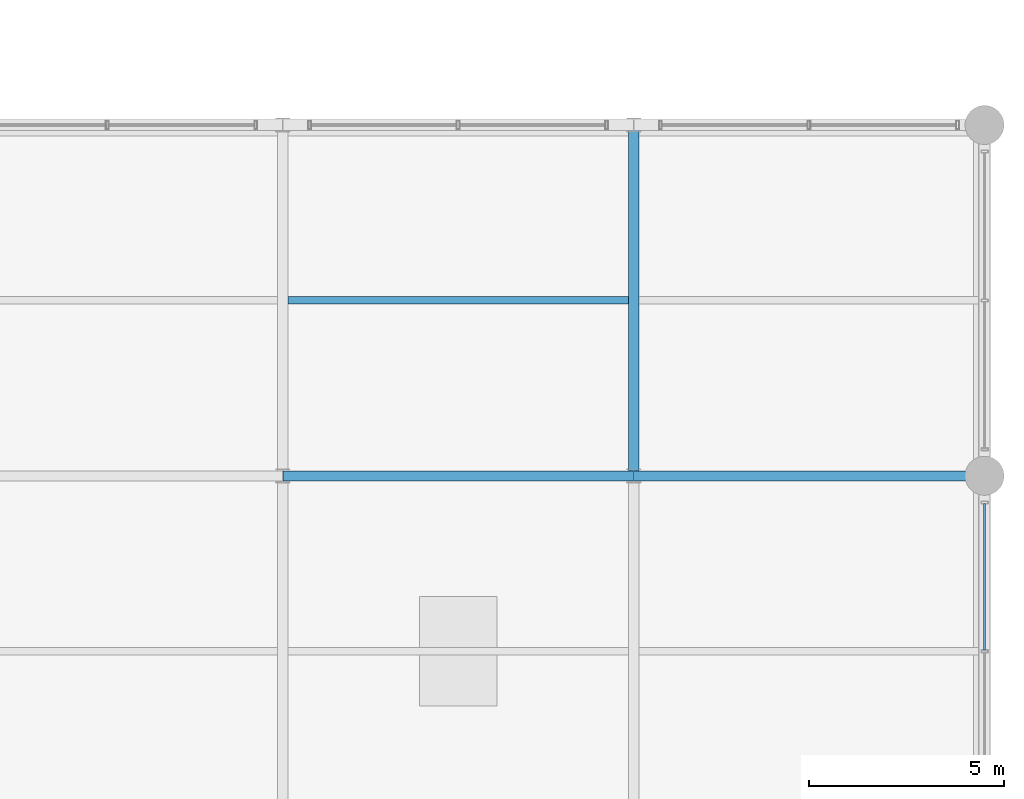
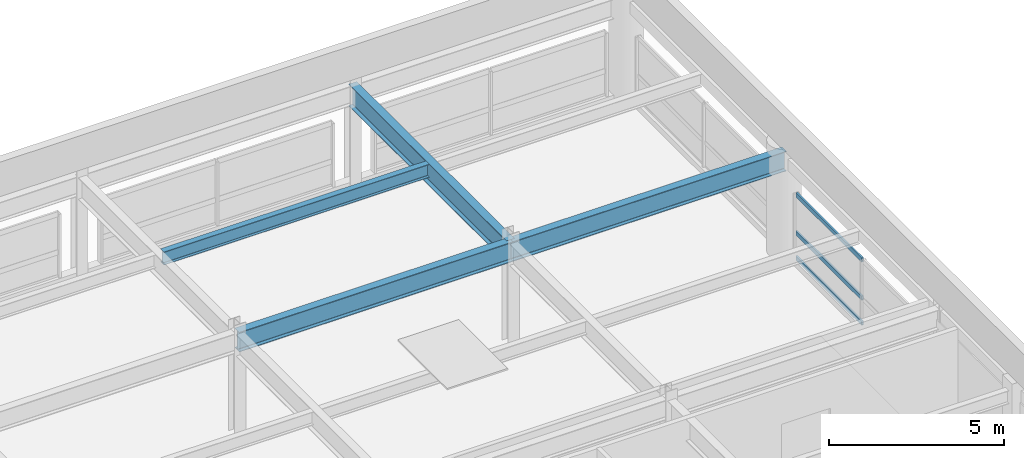
# One storey, part 57 of 108: 4 beams, 3 members, 1 element without a shape of its own.
"""IFC4 building model written with IfcOpenShell, lengths in metres."""

import ifcopenshell
import ifcopenshell.guid

model = None  # the IFC model being written
_history = None  # IfcOwnerHistory: only IFC2X3 demands one
_inside = {}  # id of a spatial element -> (the spatial element, [elements in it])
_under = {}  # id of a project, library or spatial element -> (it, [spatial elements below it])
_declared = {}  # id of a project -> (the project, [libraries it declares])
_typed = {}  # id of a type object -> (the type object, [elements of that type])
_made_of = {}  # id of a material, layer set ... -> (it, [elements and type objects made of it])


def new_model(schema):
    """Start an empty IFC model of exactly this schema.

    Asked for "IFC4X3", IfcOpenShell would pick the latest addendum, in which some entities
    have other attributes; the version numbers below select the first issue.
    IFC2X3 requires an IfcOwnerHistory on every rooted entity: one is made here for all.
    """
    global model, _history
    if schema == "IFC4X3":
        model = ifcopenshell.file(schema_version=(4, 3, 0, 0))
    else:
        model = ifcopenshell.file(schema=schema)
    _inside.clear()
    _under.clear()
    _declared.clear()
    _typed.clear()
    _made_of.clear()
    _history = None
    if model.schema == "IFC2X3":
        org = make("IfcOrganization", Name="unknown")
        user = make(
            "IfcPersonAndOrganization",
            ThePerson=make("IfcPerson", FamilyName="unknown"),
            TheOrganization=org,
        )
        app = make(
            "IfcApplication",
            ApplicationDeveloper=org,
            Version="unknown",
            ApplicationFullName="unknown",
            ApplicationIdentifier="unknown",
        )
        _history = make(
            "IfcOwnerHistory",
            OwningUser=user,
            OwningApplication=app,
            ChangeAction="ADDED",
            CreationDate=0,
        )
    return model


def make(cls, **values):
    """One entity of the class cls with the attributes given. An attribute that is None is left unset."""
    return model.create_entity(
        cls, **{name: value for name, value in values.items() if value is not None}
    )


def rooted(cls, **values):
    """An entity with a GlobalId (a new one), such as an element, a storey or a relation."""
    return make(cls, GlobalId=ifcopenshell.guid.new(), OwnerHistory=_history, **values)


def si_unit(unit_type, name, prefix=None):
    """IfcSIUnit, for example si_unit("LENGTHUNIT", "METRE", prefix="MILLI")."""
    return make("IfcSIUnit", UnitType=unit_type, Prefix=prefix, Name=name)


def assignment(units):
    """IfcUnitAssignment: the units of a project."""
    return None if units is None else make("IfcUnitAssignment", Units=units)


def point(xyz):
    """IfcCartesianPoint."""
    return None if xyz is None else make("IfcCartesianPoint", Coordinates=xyz)


def direction(xyz):
    """IfcDirection."""
    return None if xyz is None else make("IfcDirection", DirectionRatios=xyz)


def frame(location, z_axis=None, x_axis=None):
    """IfcAxis2Placement3D, a coordinate frame: its origin and axes. An axis left out is left unset."""
    return make(
        "IfcAxis2Placement3D",
        Location=point(location),
        Axis=direction(z_axis),
        RefDirection=direction(x_axis),
    )


def frame_2d(location, x_axis=None):
    """IfcAxis2Placement2D, a coordinate frame in the plane: its origin and x axis."""
    return make(
        "IfcAxis2Placement2D", Location=point(location), RefDirection=direction(x_axis)
    )


def origin():
    """The frame at (0, 0, 0) with its axes left unset."""
    return frame((0.0, 0.0, 0.0))


def origin_2d():
    """The frame at (0, 0) in the plane with its x axis left unset."""
    return frame_2d((0.0, 0.0))


def place(relative_to, where):
    """IfcLocalPlacement: puts the frame where relative to a parent placement (None: the world)."""
    return make(
        "IfcLocalPlacement", PlacementRelTo=relative_to, RelativePlacement=where
    )


def context(
    kind, dimensions, precision=None, world=None, true_north=None, identifier=None
):
    """IfcGeometricRepresentationContext, for example the 3D "Model" context."""
    return make(
        "IfcGeometricRepresentationContext",
        ContextIdentifier=identifier,
        ContextType=kind,
        CoordinateSpaceDimension=dimensions,
        Precision=precision,
        WorldCoordinateSystem=world,
        TrueNorth=true_north,
    )


def subcontext(parent, identifier, kind, view, scale=None):
    """IfcGeometricRepresentationSubContext, for example "Body" below "Model"."""
    return make(
        "IfcGeometricRepresentationSubContext",
        ContextIdentifier=identifier,
        ContextType=kind,
        ParentContext=parent,
        TargetScale=scale,
        TargetView=view,
    )


def project(units=None, contexts=None):
    """IfcProject with its units and contexts."""
    return rooted(
        "IfcProject",
        Name="project",
        RepresentationContexts=contexts,
        UnitsInContext=assignment(units),
    )


def spatial(cls, under=None, at=None, **own):
    """A site, building, storey or space (cls), placed at a placement, below another one or the project."""
    s = rooted(cls, ObjectPlacement=at, **own)
    if under is not None:
        _under.setdefault(under.id(), (under, []))[1].append(s)
    return s


def profile(cls, at=None, kind="AREA", **sizes):
    """A parametric profile (cls). Its sizes go by their IFC names, for example OverallWidth=200.0."""
    return make(cls, ProfileType=kind, Position=at, **sizes)


def hollow_rectangle(**sizes):
    """IfcRectangleHollowProfileDef."""
    return profile("IfcRectangleHollowProfileDef", **sizes)


def i_section(**sizes):
    """IfcIShapeProfileDef."""
    return profile("IfcIShapeProfileDef", **sizes)


def extrude(swept, where, along, depth):
    """IfcExtrudedAreaSolid: the profile swept, set in the frame where, extruded along a direction by depth."""
    return make(
        "IfcExtrudedAreaSolid",
        SweptArea=swept,
        Position=where,
        ExtrudedDirection=direction(along),
        Depth=depth,
    )


def shape(context_of_items, identifier, shape_type, items):
    """IfcShapeRepresentation: the items that make up one representation, for example the "Body"."""
    return make(
        "IfcShapeRepresentation",
        ContextOfItems=context_of_items,
        RepresentationIdentifier=identifier,
        RepresentationType=shape_type,
        Items=items,
    )


def material(Name=None, Category=None):
    """IfcMaterial."""
    return make("IfcMaterial", Name=Name, Category=Category)


def material_profile(
    of_material, cross_section, Name=None, Category=None, Priority=None
):
    """IfcMaterialProfile: a cross section and its material."""
    return make(
        "IfcMaterialProfile",
        Name=Name,
        Material=of_material,
        Profile=cross_section,
        Priority=Priority,
        Category=Category,
    )


def profile_set(profiles, Name=None, composite=None):
    """IfcMaterialProfileSet."""
    return make(
        "IfcMaterialProfileSet",
        Name=Name,
        MaterialProfiles=profiles,
        CompositeProfile=composite,
    )


def made_of(thing, what):
    """Note that an element or type object is made of a material, layer set ...; save() writes the relation."""
    if what is not None:
        _made_of.setdefault(what.id(), (what, []))[1].append(thing)
    return thing


def type_object(cls, material=None, **own):
    """A type object (cls), such as IfcWallType, which elements share."""
    return made_of(rooted(cls, **own), material)


def element(
    cls,
    number,
    at=None,
    inside=None,
    cuts=None,
    type_object=None,
    material=None,
    context=None,
    identifier="Body",
    shape_type=None,
    held_by="IfcProductDefinitionShape",
    body=None,
    shapes=None,
    **own,
):
    """One element of the class cls, such as IfcWall. Its Tag is "e" and its number.

    at: its placement. inside: the storey or other place that contains it. cuts: it is an
    opening in that element (IfcRelVoidsElement). A single representation is given by context,
    identifier, shape_type and body (its items); several are given by shapes. held_by: the class
    of the entity that holds the representations. save() writes the other relations.
    """
    e = rooted(cls, Tag="e%d" % number, ObjectPlacement=at, **own)
    if body is not None:
        shapes = [shape(context, identifier, shape_type, body)]
    if shapes is not None:
        e.Representation = make(held_by, Representations=shapes)
    if inside is not None:
        _inside.setdefault(inside.id(), (inside, []))[1].append(e)
    if cuts is not None:
        rooted(
            "IfcRelVoidsElement", RelatingBuildingElement=cuts, RelatedOpeningElement=e
        )
    if type_object is not None:
        _typed.setdefault(type_object.id(), (type_object, []))[1].append(e)
    return made_of(e, material)


def aggregate(whole, parts):
    """IfcRelAggregates: a whole, such as a stair, and the parts it consists of."""
    return rooted("IfcRelAggregates", RelatingObject=whole, RelatedObjects=parts)


def save(model, path):
    """Write the relations noted so far, then the file.

    IfcRelAggregates (storeys below a building ...), IfcRelContainedInSpatialStructure (elements
    in a storey), IfcRelDefinesByType, IfcRelAssociatesMaterial and IfcRelDeclares: one each for
    every whole, place, type object, material and project.
    """
    for whole, parts in _under.values():
        aggregate(whole, parts)
    for where, things in _inside.values():
        rooted(
            "IfcRelContainedInSpatialStructure",
            RelatedElements=things,
            RelatingStructure=where,
        )
    for kind, things in _typed.values():
        rooted("IfcRelDefinesByType", RelatedObjects=things, RelatingType=kind)
    for what, things in _made_of.values():
        rooted("IfcRelAssociatesMaterial", RelatedObjects=things, RelatingMaterial=what)
    for by, libraries in _declared.values():
        rooted("IfcRelDeclares", RelatingContext=by, RelatedDefinitions=libraries)
    model.write(path)


model = new_model("IFC4")

# Units and contexts
model_context = context("Model", 3, precision=1e-05, world=origin(), true_north=direction((0.0, 1.0)))
body_context = subcontext(model_context, "Body", "Model", "MODEL_VIEW")
ifc_project = project(units=[si_unit("LENGTHUNIT", "METRE"), si_unit("AREAUNIT", "SQUARE_METRE"), si_unit("VOLUMEUNIT", "CUBIC_METRE"), si_unit("PLANEANGLEUNIT", "RADIAN"), si_unit("MASSUNIT", "GRAM", prefix="KILO")], contexts=[model_context])

# Site, building, storey
site_placement = place(None, origin())
site = spatial("IfcSite", under=ifc_project, at=site_placement, CompositionType="ELEMENT")
building_placement = place(site_placement, origin())
building = spatial("IfcBuilding", under=site, at=building_placement, Name="Kaldorvane Square Convention Centre", CompositionType="ELEMENT")
storey_placement = place(building_placement, frame((0.0, 0.0, 23.399993896484375)))
storey = spatial("IfcBuildingStorey", under=building, at=storey_placement, Name="L04", CompositionType="ELEMENT", Elevation=23.399993896484375)

# Beams
ifc_material_1 = material(Name="Steel ASTM A992 Gr. 50", Category="steel")
ifc_material_profile_1 = material_profile(ifc_material_1, i_section(OverallWidth=0.25439453125, OverallDepth=0.6880950927734375, WebThickness=0.0131072998046875, FlangeThickness=0.0211029052734375, FilletRadius=0.01519775390625, at=origin_2d()), Name="W27X102")
ifc_profile_set_1 = profile_set([ifc_material_profile_1], Name="Steel ASTM A992 Gr. 50")
beam_type_1 = type_object("IfcBeamType", Name="BM-GR-W27X102", PredefinedType="BEAM", material=ifc_profile_set_1)
for number, where, z_axis, x_axis, name in (
    (1, (156.0, 27.0, 3.1819000244140625), (1.0, 0.0, 0.0), (0.0, 1.0, 0.0), "Primary Girder (L04)"),
    (2, (165.0, 27.0, 3.1819000244140625), (1.0, 0.0, 0.0), (0.0, 1.0, 0.0), "Primary Girder (L04)"),
):
    element("IfcBeam", number, at=place(storey_placement, frame(where, z_axis=z_axis, x_axis=x_axis)), inside=storey, type_object=beam_type_1, Name=name, PredefinedType="BEAM", context=body_context, shape_type="SweptSolid", body=[
        extrude(i_section(OverallWidth=0.25439453125, OverallDepth=0.6880950927734375, WebThickness=0.0131072998046875, FlangeThickness=0.0211029052734375, FilletRadius=0.01519775390625, at=origin_2d()), origin(), (0.0, 0.0, 1.0), 9.0),
    ])
ifc_material_profile_2 = material_profile(ifc_material_1, i_section(OverallWidth=0.2666015625, OverallDepth=0.762298583984375, WebThickness=0.014404296875, FlangeThickness=0.0216064453125, FilletRadius=0.0164947509765625, at=origin_2d()), Name="W30X116")
ifc_profile_set_2 = profile_set([ifc_material_profile_2], Name="Steel ASTM A992 Gr. 50")
beam_type_2 = type_object("IfcBeamType", Name="BM-GR-W30X116", PredefinedType="BEAM", material=ifc_profile_set_2)
beam_1_placement = place(storey_placement, frame((165.0, 27.0, 3.144805908203125), z_axis=(0.0, 1.0, 0.0), x_axis=(-1.0, 0.0, 0.0)))
element("IfcBeam", 3, at=beam_1_placement, inside=storey, type_object=beam_type_2, Name="Transverse Girder (L04)", PredefinedType="BEAM", context=body_context, shape_type="SweptSolid", body=[
    extrude(i_section(OverallWidth=0.2666015625, OverallDepth=0.762298583984375, WebThickness=0.014404296875, FlangeThickness=0.0216064453125, FilletRadius=0.0164947509765625, at=origin_2d()), origin(), (0.0, 0.0, 1.0), 9.0),
])
ifc_material_profile_3 = material_profile(ifc_material_1, i_section(OverallWidth=0.1912994384765625, OverallDepth=0.4600067138671875, WebThickness=0.0099029541015625, FlangeThickness=0.0160064697265625, FilletRadius=0.01019287109375, at=origin_2d()), Name="W18X55")
ifc_profile_set_3 = profile_set([ifc_material_profile_3], Name="Steel ASTM A992 Gr. 50")
beam_type_3 = type_object("IfcBeamType", Name="BM-JS-W18X55", PredefinedType="JOIST", material=ifc_profile_set_3)
beam_2_placement = place(storey_placement, frame((156.13330078125, 31.5, 3.2960052490234375), z_axis=(1.0, 0.0, 0.0), x_axis=(0.0, 1.0, 0.0)))
element("IfcBeam", 4, at=beam_2_placement, inside=storey, type_object=beam_type_3, Name="Secondary Floor Joist (L04)", PredefinedType="JOIST", context=body_context, shape_type="SweptSolid", body=[
    extrude(i_section(OverallWidth=0.1912994384765625, OverallDepth=0.4600067138671875, WebThickness=0.0099029541015625, FlangeThickness=0.0160064697265625, FilletRadius=0.01019287109375, at=origin_2d()), origin(), (0.0, 0.0, 1.0), 8.7333984375),
])

# Curtain wall, members
ifc_material_2 = material(Name="Anodized Aluminum and Low-E Insulated Glazing", Category="aluminium")
curtain_wall_type = type_object("IfcCurtainWallType", Name="CW-UNI-P42-09", PredefinedType="USERDEFINED", material=ifc_material_2)
curtain_wall_placement = place(storey_placement, origin())
curtain_wall = element("IfcCurtainWall", 5, at=curtain_wall_placement, inside=storey, type_object=curtain_wall_type, Name="Curtain Wall CW-06 (L04)", ObjectType="UNITISED GLAZING", PredefinedType="USERDEFINED")
ifc_material_profile_4 = material_profile(ifc_material_2, hollow_rectangle(XDim=0.05999755859375, YDim=0.149993896484375, WallThickness=0.003204345703125, at=origin_2d()), Name="CWT-150X60")
ifc_profile_set_4 = profile_set([ifc_material_profile_4], Name="Anodized Aluminum and Low-E Insulated Glazing")
member_type = type_object("IfcMemberType", Name="CW-TRN-150", PredefinedType="USERDEFINED", material=ifc_profile_set_4)
member_1_placement = place(storey_placement, frame((174.0, 22.532501220703125, 0.1800079345703125), z_axis=(0.0, 1.0, 0.0), x_axis=(-1.0, 0.0, 0.0)))
member_1 = element("IfcMember", 6, at=member_1_placement, type_object=member_type, Name="CW-06 transom 2.1", ObjectType="TRANSOM", PredefinedType="USERDEFINED", context=body_context, shape_type="SweptSolid", body=[
    extrude(hollow_rectangle(XDim=0.05999755859375, YDim=0.149993896484375, WallThickness=0.003204345703125, at=origin_2d()), origin(), (0.0, 0.0, 1.0), 3.75250244140625),
])
member_2_placement = place(storey_placement, frame((174.0, 22.532501220703125, 1.0500030517578125), z_axis=(0.0, 1.0, 0.0), x_axis=(-1.0, 0.0, 0.0)))
member_2 = element("IfcMember", 7, at=member_2_placement, type_object=member_type, Name="CW-06 transom 2.2", ObjectType="TRANSOM", PredefinedType="USERDEFINED", context=body_context, shape_type="SweptSolid", body=[
    extrude(hollow_rectangle(XDim=0.05999755859375, YDim=0.149993896484375, WallThickness=0.003204345703125, at=origin_2d()), origin(), (0.0, 0.0, 1.0), 3.75250244140625),
])
member_3_placement = place(storey_placement, frame((174.0, 22.532501220703125, 2.3800048828125), z_axis=(0.0, 1.0, 0.0), x_axis=(-1.0, 0.0, 0.0)))
member_3 = element("IfcMember", 8, at=member_3_placement, type_object=member_type, Name="CW-06 transom 2.3", ObjectType="TRANSOM", PredefinedType="USERDEFINED", context=body_context, shape_type="SweptSolid", body=[
    extrude(hollow_rectangle(XDim=0.05999755859375, YDim=0.149993896484375, WallThickness=0.003204345703125, at=origin_2d()), origin(), (0.0, 0.0, 1.0), 3.75250244140625),
])
aggregate(curtain_wall, [member_1, member_2, member_3])

save(model, "model.ifc")
